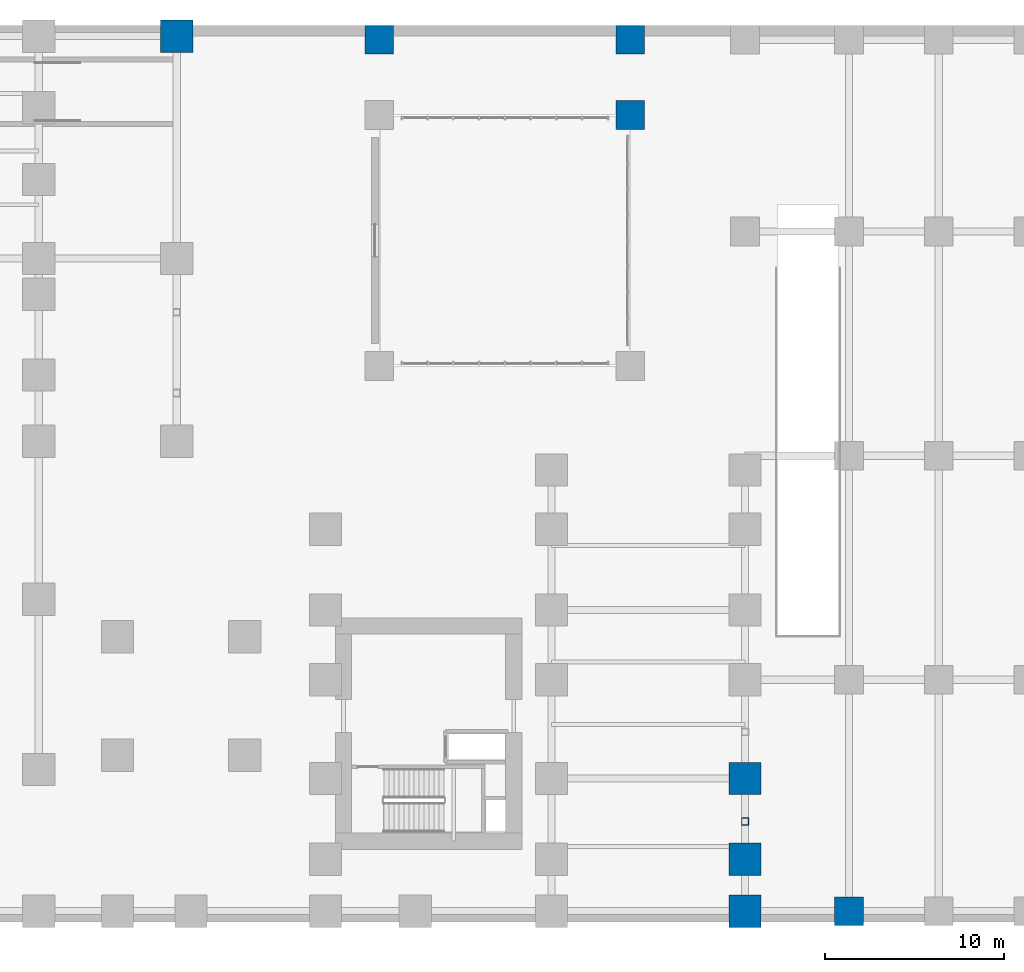
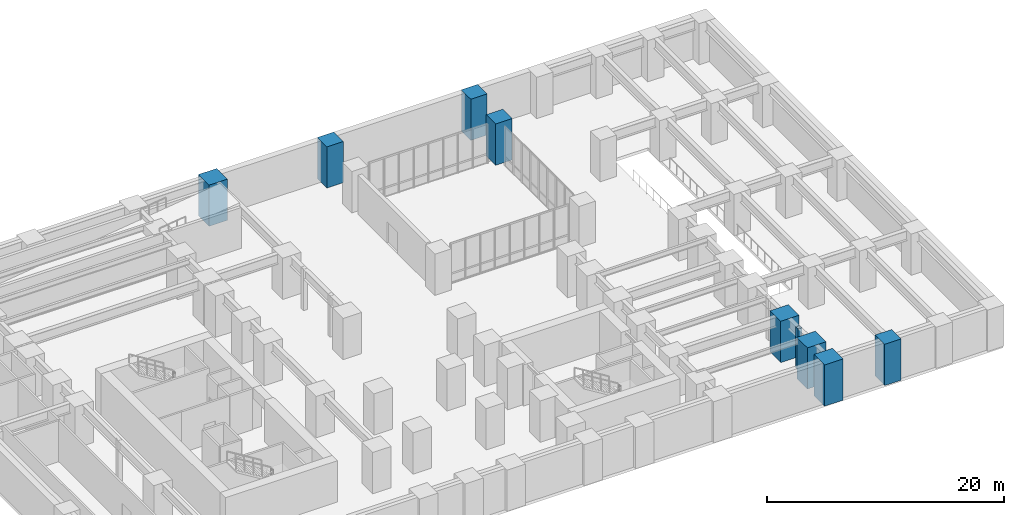
# One storey, part 4 of 18: 9 columns.
"""IFC4 building model written with IfcOpenShell, lengths in metres."""

from ifc_helpers import new_model, si_unit, direction, frame, origin, origin_2d, place, context, subcontext, project, spatial, rectangle, hollow_rectangle, extrude, source, transform, mapped, material, material_profile, profile_set, type_object, element, save


model = new_model("IFC4")

# Units and contexts
model_context = context("Model", 3, precision=1e-05, world=origin(), true_north=direction((0.0, 1.0)))
body_context = subcontext(model_context, "Body", "Model", "MODEL_VIEW")
ifc_project = project(units=[si_unit("LENGTHUNIT", "METRE"), si_unit("AREAUNIT", "SQUARE_METRE"), si_unit("VOLUMEUNIT", "CUBIC_METRE"), si_unit("PLANEANGLEUNIT", "RADIAN"), si_unit("MASSUNIT", "GRAM", prefix="KILO")], contexts=[model_context])

# Site, building, storey
site_placement = place(None, origin())
site = spatial("IfcSite", under=ifc_project, at=site_placement, CompositionType="ELEMENT")
building_placement = place(site_placement, origin())
building = spatial("IfcBuilding", under=site, at=building_placement, Name="Kharzan Plaza Tower", CompositionType="ELEMENT")
storey_placement = place(building_placement, frame((0.0, 0.0, -4.5)))
storey = spatial("IfcBuildingStorey", under=building, at=storey_placement, Name="B01", CompositionType="ELEMENT", Elevation=-4.5)

# Columns
ifc_material_1 = material(Name="Concrete C60/75", Category="concrete")
ifc_material_profile_1 = material_profile(ifc_material_1, rectangle(XDim=1.60009765625, YDim=1.60009765625, at=origin_2d()), Name="RC-MC1600x1600")
ifc_profile_set_1 = profile_set([ifc_material_profile_1], Name="Concrete C60/75")
column_type_1 = type_object("IfcColumnType", Name="COL-BC1600", PredefinedType="COLUMN", material=ifc_profile_set_1)
shared_shape_1 = source(origin(), body_context, "Body", "SweptSolid", [
    extrude(rectangle(XDim=1.60009765625, YDim=1.60009765625, at=origin_2d()), origin(), (0.0, 0.0, 1.0), 4.239990234375),
])
for number, where, z_axis, x_axis, name in (
    (1, (52.0, 45.0, 0.0), (0.0, 0.0, 1.0), (1.0, 0.0, 0.0), "B01 Structural Column BC06"),
    (2, (64.199951171875, 0.60009765625, 0.0), (0.0, 0.0, 1.0), (1.0, 0.0, 0.0), "B01 Structural Column BC09"),
    (3, (38.0, 49.199951171875, 0.0), (0.0, 0.0, 1.0), (1.0, 0.0, 0.0), "B01 Structural Column BC24"),
    (4, (52.0, 49.199951171875, 0.0), (0.0, 0.0, 1.0), (1.0, 0.0, 0.0), "B01 Structural Column BC25"),
):
    element("IfcColumn", number, at=place(storey_placement, frame(where, z_axis=z_axis, x_axis=x_axis)), inside=storey, type_object=column_type_1, Name=name, PredefinedType="COLUMN", context=body_context, shape_type="MappedRepresentation", body=[
        mapped(shared_shape_1, transform((0.0, 0.0, 0.0), x_axis=(1.0, 0.0, 0.0), y_axis=(0.0, 1.0, 0.0), z_axis=(0.0, 0.0, 1.0))),
    ])
ifc_material_profile_2 = material_profile(ifc_material_1, rectangle(XDim=1.800048828125, YDim=1.800048828125, at=origin_2d()), Name="RC-MC1800x1800")
ifc_profile_set_2 = profile_set([ifc_material_profile_2], Name="Concrete C60/75")
column_type_2 = type_object("IfcColumnType", Name="COL-MC1800", PredefinedType="COLUMN", material=ifc_profile_set_2)
shared_shape_2 = source(origin(), body_context, "Body", "SweptSolid", [
    extrude(rectangle(XDim=1.800048828125, YDim=1.800048828125, at=origin_2d()), origin(), (0.0, 0.0, 1.0), 4.239990234375),
])
for number, where, z_axis, x_axis, name in (
    (5, (58.39990234375, 0.60009765625, 0.0), (0.0, 0.0, 1.0), (1.0, 0.0, 0.0), "B01 Podium Mega-Column MC19"),
    (6, (26.699951171875, 49.39990234375, 0.0), (0.0, 0.0, 1.0), (1.0, 0.0, 0.0), "B01 Podium Mega-Column MC22"),
    (7, (58.39990234375, 3.5, 0.0), (0.0, 0.0, 1.0), (1.0, 0.0, 0.0), "B01 Podium Mega-Column MC25"),
    (8, (58.39990234375, 8.0, 0.0), (0.0, 0.0, 1.0), (1.0, 0.0, 0.0), "B01 Podium Mega-Column MC26"),
):
    element("IfcColumn", number, at=place(storey_placement, frame(where, z_axis=z_axis, x_axis=x_axis)), inside=storey, type_object=column_type_2, Name=name, PredefinedType="COLUMN", context=body_context, shape_type="MappedRepresentation", body=[
        mapped(shared_shape_2, transform((0.0, 0.0, 0.0), x_axis=(1.0, 0.0, 0.0), y_axis=(0.0, 1.0, 0.0), z_axis=(0.0, 0.0, 1.0))),
    ])
ifc_material_2 = material(Name="Steel S355", Category="steel")
ifc_material_profile_3 = material_profile(ifc_material_2, hollow_rectangle(XDim=0.39990234375, YDim=0.39990234375, WallThickness=0.02001953125, at=origin_2d()), Name="SHS400x400x20")
ifc_profile_set_3 = profile_set([ifc_material_profile_3], Name="Steel S355")
column_type_3 = type_object("IfcColumnType", Name="COL-PIL400", PredefinedType="PILASTER", material=ifc_profile_set_3)
shared_shape_3 = source(origin(), body_context, "Body", "SweptSolid", [
    extrude(hollow_rectangle(XDim=0.39990234375, YDim=0.39990234375, WallThickness=0.02001953125, at=origin_2d()), origin(), (0.0, 0.0, 1.0), 4.239990234375),
])
column_placement = place(storey_placement, frame((58.39990234375, 5.60009765625, 0.0), z_axis=(0.0, 0.0, 1.0), x_axis=(1.0, 0.0, 0.0)))
element("IfcColumn", 9, at=column_placement, inside=storey, type_object=column_type_3, Name="B01 Portal Steel Pilaster 5", PredefinedType="PILASTER", context=body_context, shape_type="MappedRepresentation", body=[
    mapped(shared_shape_3, transform((0.0, 0.0, 0.0), x_axis=(1.0, 0.0, 0.0), y_axis=(0.0, 1.0, 0.0), z_axis=(0.0, 0.0, 1.0))),
])

save(model, "model.ifc")
